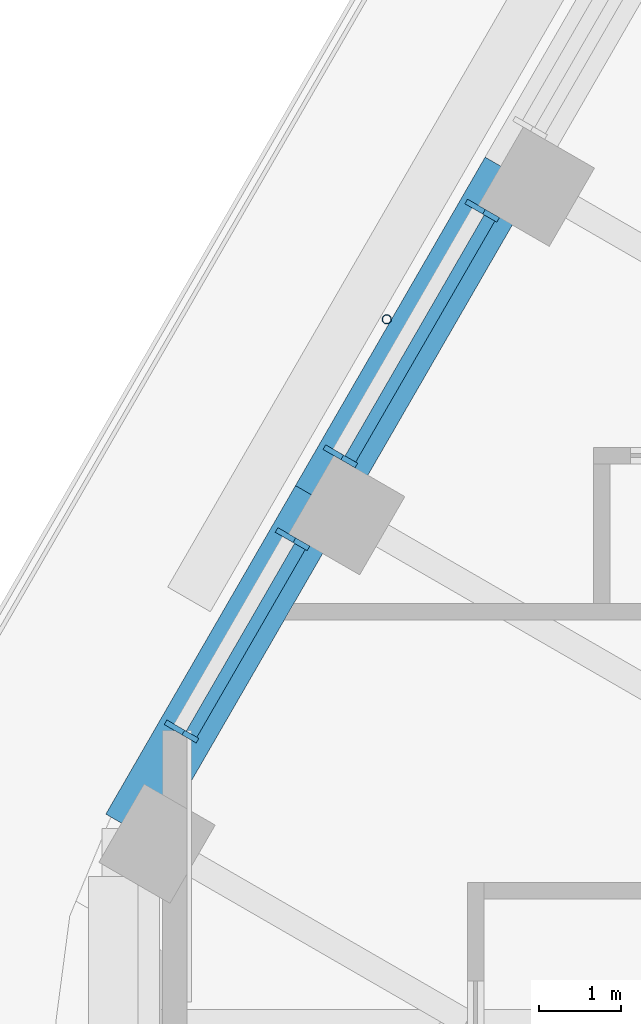
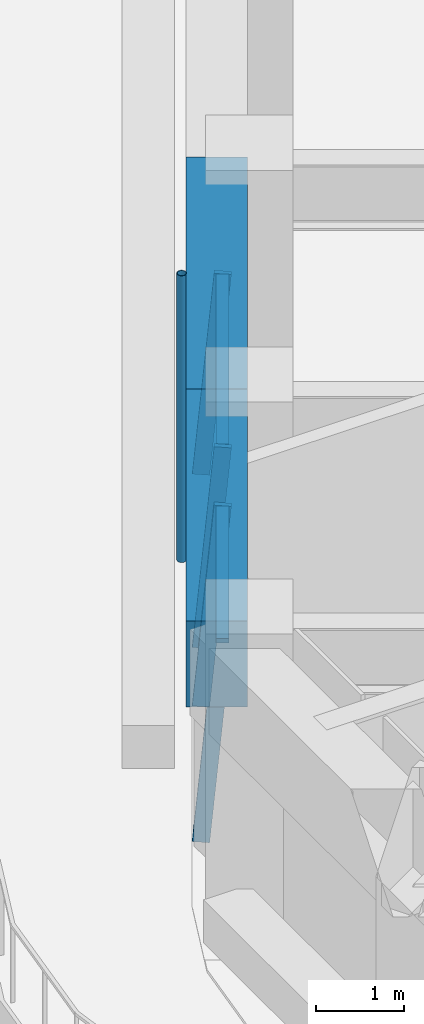
# One storey, part 6 of 20: 7 members, 2 beams, 2 elements without a shape of their own.
"""IFC4 building model written with IfcOpenShell, lengths in metres."""

from ifc_helpers import new_model, si_unit, direction, frame, origin, origin_2d, place, context, subcontext, project, spatial, rectangle, hollow_circle, extrude, material, material_profile, profile_set, type_object, element, aggregate, save


model = new_model("IFC4")

# Units and contexts
model_context = context("Model", 3, precision=1e-05, world=origin(), true_north=direction((0.0, 1.0)))
body_context = subcontext(model_context, "Body", "Model", "MODEL_VIEW")
ifc_project = project(units=[si_unit("LENGTHUNIT", "METRE"), si_unit("AREAUNIT", "SQUARE_METRE"), si_unit("VOLUMEUNIT", "CUBIC_METRE"), si_unit("PLANEANGLEUNIT", "RADIAN"), si_unit("MASSUNIT", "GRAM", prefix="KILO")], contexts=[model_context])

# Site, building, storey
site_placement = place(None, origin())
site = spatial("IfcSite", under=ifc_project, at=site_placement, CompositionType="ELEMENT")
building_placement = place(site_placement, origin())
building = spatial("IfcBuilding", under=site, at=building_placement, Name="Tarfa Lantern Tower", CompositionType="ELEMENT")
storey_placement = place(building_placement, frame((0.0, 0.0, 278.5)))
storey = spatial("IfcBuildingStorey", under=building, at=storey_placement, Name="L63", CompositionType="ELEMENT", Elevation=278.5)

# Curtain wall, members
ifc_material_1 = material(Name="Aluminium framed curtain wall", Category="aluminium")
curtain_wall_type = type_object("IfcCurtainWallType", Name="CW3 CANTED GLAZING HIGH ZONE 2800", PredefinedType="USERDEFINED", material=ifc_material_1)
curtain_wall_1_placement = place(storey_placement, origin())
curtain_wall_1 = element("IfcCurtainWall", 1, at=curtain_wall_1_placement, inside=storey, type_object=curtain_wall_type, Name="CW3 NW L63", ObjectType="CURTAIN WALL", PredefinedType="USERDEFINED")
ifc_material_2 = material(Name="Aluminium mullion", Category="aluminium")
ifc_material_profile_1 = material_profile(ifc_material_2, rectangle(XDim=0.06494140625, YDim=0.199951171875, at=origin_2d()), Name="AL MULLION 65x200")
ifc_profile_set_1 = profile_set([ifc_material_profile_1], Name="Aluminium mullion")
member_type_1 = type_object("IfcMemberType", Name="CWM1 MULLION 65x200", PredefinedType="MULLION", material=ifc_profile_set_1)
member_1_placement = place(storey_placement, frame((-27.62890625, 9.945556640625, 0.0), z_axis=(0.077032386753, -0.044465143199, 0.996036576854), x_axis=(0.499919672301, 0.866071776036, 0.0)))
member_1 = element("IfcMember", 2, at=member_1_placement, type_object=member_type_1, Name="CW3 mullion 1", PredefinedType="MULLION", context=body_context, shape_type="SweptSolid", body=[
    extrude(rectangle(XDim=0.06494140625, YDim=0.199951171875, at=origin_2d()), origin(), (0.0, 0.0, 1.0), 2.811279296875),
])
member_2_placement = place(storey_placement, frame((-29.355712890625, 6.954345703125, 0.0), z_axis=(0.077032386753, -0.044465143199, 0.996036576854), x_axis=(0.499919672301, 0.866071776036, 0.0)))
member_2 = element("IfcMember", 3, at=member_2_placement, type_object=member_type_1, Name="CW3 mullion 2", PredefinedType="MULLION", context=body_context, shape_type="SweptSolid", body=[
    extrude(rectangle(XDim=0.06494140625, YDim=0.199951171875, at=origin_2d()), origin(), (0.0, 0.0, 1.0), 2.811279296875),
])

curtain_wall_2_placement = place(storey_placement, origin())
curtain_wall_2 = element("IfcCurtainWall", 4, at=curtain_wall_2_placement, inside=storey, type_object=curtain_wall_type, Name="CW3 NW L63", ObjectType="CURTAIN WALL", PredefinedType="USERDEFINED")
member_3_placement = place(storey_placement, frame((-29.938232421875, 5.945556640625, 0.0), z_axis=(0.077032386753, -0.044465143199, 0.996036576854), x_axis=(0.499919672301, 0.866071776036, 0.0)))
member_3 = element("IfcMember", 5, at=member_3_placement, type_object=member_type_1, Name="CW3 mullion 1", PredefinedType="MULLION", context=body_context, shape_type="SweptSolid", body=[
    extrude(rectangle(XDim=0.06494140625, YDim=0.199951171875, at=origin_2d()), origin(), (0.0, 0.0, 1.0), 2.811279296875),
])
member_4_placement = place(storey_placement, frame((-31.2900390625, 3.60400390625, 0.0), z_axis=(0.077032386753, -0.044465143199, 0.996036576854), x_axis=(0.499919672301, 0.866071776036, 0.0)))
member_4 = element("IfcMember", 6, at=member_4_placement, type_object=member_type_1, Name="CW3 mullion 2", PredefinedType="MULLION", context=body_context, shape_type="SweptSolid", body=[
    extrude(rectangle(XDim=0.06494140625, YDim=0.199951171875, at=origin_2d()), origin(), (0.0, 0.0, 1.0), 2.811279296875),
])

# Member
ifc_material_3 = material(Name="Aluminium transom", Category="aluminium")
ifc_material_profile_2 = material_profile(ifc_material_3, rectangle(XDim=0.14990234375, YDim=0.06494140625, at=origin_2d()), Name="AL TRANSOM 150x65")
ifc_profile_set_2 = profile_set([ifc_material_profile_2], Name="Aluminium transom")
member_type_2 = type_object("IfcMemberType", Name="CWT1 TRANSOM 150x65", PredefinedType="USERDEFINED", material=ifc_profile_set_2)
member_5_placement = place(storey_placement, frame((-27.43115234375, 9.7939453125, 2.767578125), z_axis=(-0.499982299553, -0.866035622901, 0.0), x_axis=(0.866035622901, -0.499982299553, 0.0)))
member_5 = element("IfcMember", 7, at=member_5_placement, type_object=member_type_2, Name="CW3 transom 1.2", ObjectType="TRANSOM", PredefinedType="USERDEFINED", context=body_context, shape_type="SweptSolid", body=[
    extrude(rectangle(XDim=0.14990234375, YDim=0.06494140625, at=origin_2d()), origin(), (0.0, 0.0, 1.0), 3.388671875),
])

aggregate(curtain_wall_1, [member_1, member_2, member_5])

member_6_placement = place(storey_placement, frame((-29.740478515625, 5.7939453125, 2.767578125), z_axis=(-0.499960041298, -0.866048472723, 0.0), x_axis=(0.866048472723, -0.499960041298, 0.0)))
member_6 = element("IfcMember", 8, at=member_6_placement, type_object=member_type_2, Name="CW3 transom 1.2", ObjectType="TRANSOM", PredefinedType="USERDEFINED", context=body_context, shape_type="SweptSolid", body=[
    extrude(rectangle(XDim=0.14990234375, YDim=0.06494140625, at=origin_2d()), origin(), (0.0, 0.0, 1.0), 2.638916015625),
])

aggregate(curtain_wall_2, [member_3, member_4, member_6])

# Beams
ifc_material_4 = material(Name="Concrete C80/95", Category="concrete")
ifc_material_profile_3 = material_profile(ifc_material_4, rectangle(XDim=0.699951171875, YDim=1.199951171875, at=origin_2d()), Name="RC 700x1200")
ifc_profile_set_3 = profile_set([ifc_material_profile_3], Name="Concrete C80/95")
beam_type = type_object("IfcBeamType", Name="EB3 RC 700x1200", PredefinedType="SPANDREL", material=ifc_profile_set_3)
beam_1_placement = place(storey_placement, frame((-27.181640625, 10.360107421875, 3.39990234375), z_axis=(-0.499987836815, -0.866032426089, 0.0), x_axis=(0.866032426089, -0.499987836815, 0.0)))
element("IfcBeam", 9, at=beam_1_placement, inside=storey, type_object=beam_type, Name="Edge beam NW4", PredefinedType="SPANDREL", context=body_context, shape_type="SweptSolid", body=[
    extrude(rectangle(XDim=0.699951171875, YDim=1.199951171875, at=origin_2d()), origin(), (0.0, 0.0, 1.0), 4.61865234375),
])
beam_2_placement = place(storey_placement, frame((-29.490966796875, 6.360107421875, 3.39990234375), z_axis=(-0.500027479704, -0.866009537788, 0.0), x_axis=(0.866009537788, -0.500027479704, 0.0)))
element("IfcBeam", 10, at=beam_2_placement, inside=storey, type_object=beam_type, Name="Edge beam NW5", PredefinedType="SPANDREL", context=body_context, shape_type="SweptSolid", body=[
    extrude(rectangle(XDim=0.699951171875, YDim=1.199951171875, at=origin_2d()), origin(), (0.0, 0.0, 1.0), 4.618896484375),
])

# Member
ifc_material_5 = material(Name="Steel S355", Category="steel")
ifc_material_profile_4 = material_profile(ifc_material_5, hollow_circle(Radius=0.05712890625, WallThickness=0.00634765625, at=origin_2d()), Name="CHS114.3x6.3")
ifc_profile_set_4 = profile_set([ifc_material_profile_4], Name="Steel S355")
member_type_3 = type_object("IfcMemberType", Name="TR1 GREEN WALL TRELLIS CHS114.3x6.3", PredefinedType="USERDEFINED", material=ifc_profile_set_4)
member_7_placement = place(storey_placement, frame((-28.682861328125, 8.56005859375, 0.0), z_axis=(0.0, 0.0, 1.0), x_axis=(1.0, 0.0, 0.0)))
element("IfcMember", 11, at=member_7_placement, inside=storey, type_object=member_type_3, Name="Trellis post NW 2", ObjectType="TRELLIS", PredefinedType="USERDEFINED", context=body_context, shape_type="SweptSolid", body=[
    extrude(hollow_circle(Radius=0.05712890625, WallThickness=0.00634765625, at=origin_2d()), origin(), (0.0, 0.0, 1.0), 4.0),
])

save(model, "model.ifc")
